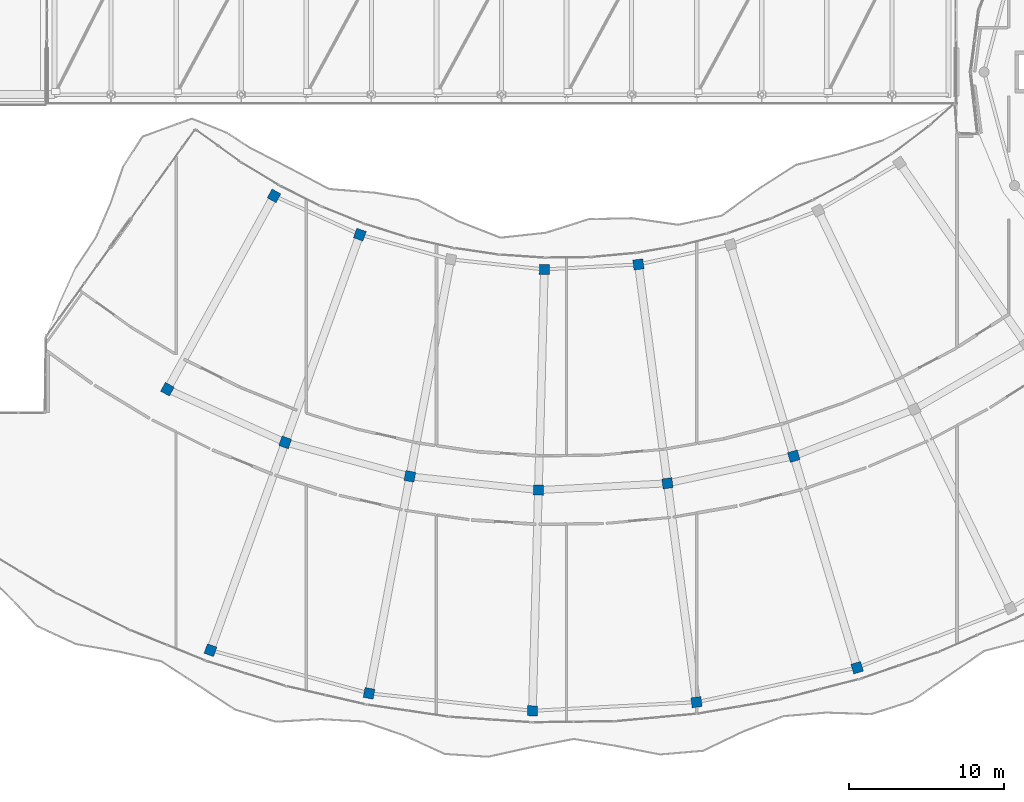
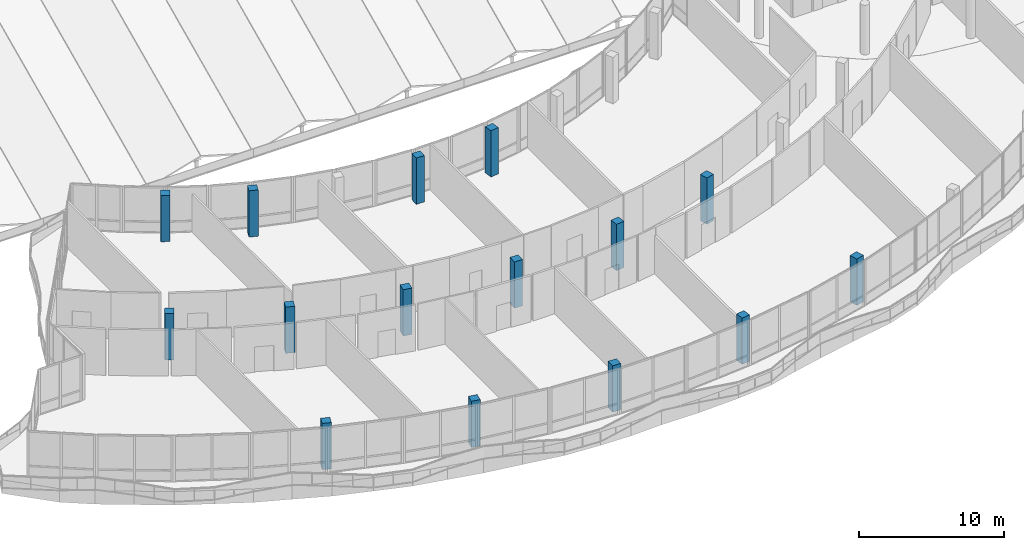
# One storey, part 1 of 184: 15 columns.
"""IFC4 building model written with IfcOpenShell, lengths in metres."""

from ifc_helpers import new_model, si_unit, direction, frame, origin, origin_2d, place, context, subcontext, project, spatial, rectangle, extrude, material, material_profile, profile_set, type_object, element, save


model = new_model("IFC4")

# Units and contexts
model_context = context("Model", 3, precision=1e-05, world=origin(), true_north=direction((0.0, 1.0)))
body_context = subcontext(model_context, "Body", "Model", "MODEL_VIEW")
ifc_project = project(units=[si_unit("LENGTHUNIT", "METRE"), si_unit("AREAUNIT", "SQUARE_METRE"), si_unit("VOLUMEUNIT", "CUBIC_METRE"), si_unit("PLANEANGLEUNIT", "RADIAN"), si_unit("MASSUNIT", "GRAM", prefix="KILO")], contexts=[model_context])

# Site, building, storey
site_placement = place(None, origin())
site = spatial("IfcSite", under=ifc_project, at=site_placement, CompositionType="ELEMENT")
building_placement = place(site_placement, origin())
building = spatial("IfcBuilding", under=site, at=building_placement, Name="Selatvlak General Hospital", CompositionType="ELEMENT")
storey_placement = place(building_placement, frame((0.0, 0.0, 15.0)))
storey = spatial("IfcBuildingStorey", under=building, at=storey_placement, Name="L03", CompositionType="ELEMENT", Elevation=15.0)

# Columns
ifc_material = material(Name="Concrete C40/50", Category="concrete")
ifc_material_profile = material_profile(ifc_material, rectangle(XDim=0.64990234375, YDim=0.64990234375, at=origin_2d()), Name="RC-COL 650x650")
ifc_profile_set = profile_set([ifc_material_profile], Name="Concrete C40/50")
column_type = type_object("IfcColumnType", Name="COL-RC65", PredefinedType="COLUMN", material=ifc_profile_set)
for number, where, z_axis, x_axis, name in (
    (1, (37.52099609375, 46.009033203125, 0.0), (0.0, 0.0, 1.0), (0.483007324118, 0.875616311434, 0.0), "Column 314 on L03"),
    (2, (30.637939453125, 33.531982421875, 0.0), (0.0, 0.0, 1.0), (0.483007324118, 0.875616311434, 0.0), "Column 315 on L03"),
    (3, (43.05908203125, 43.506103515625, 0.0), (0.0, 0.0, 1.0), (0.338261654325, 0.941052099096, 0.0), "Column 316 on L03"),
    (4, (38.239013671875, 30.095947265625, 0.0), (0.0, 0.0, 1.0), (0.338261654325, 0.941052099096, 0.0), "Column 317 on L03"),
    (5, (33.4189453125, 16.68603515625, 0.0), (0.0, 0.0, 1.0), (0.338261654325, 0.941052099096, 0.0), "Column 318 on L03"),
    (6, (46.2880859375, 27.906005859375, 0.0), (0.0, 0.0, 1.0), (0.184997729111, 0.982738948156, 0.0), "Column 320 on L03"),
    (7, (43.652099609375, 13.902099609375, 0.0), (0.0, 0.0, 1.0), (0.184997729111, 0.982738948156, 0.0), "Column 321 on L03"),
    (8, (54.968017578125, 41.262939453125, 0.0), (0.0, 0.0, 1.0), (0.027066750718, 0.999633628389, 0.0), "Column 322 on L03"),
    (9, (54.58203125, 27.01904296875, 0.0), (0.0, 0.0, 1.0), (0.027066750718, 0.999633628389, 0.0), "Column 323 on L03"),
    (10, (54.196044921875, 12.77490234375, 0.0), (0.0, 0.0, 1.0), (0.027066750718, 0.999633628389, 0.0), "Column 324 on L03"),
    (11, (61.034912109375, 41.5830078125, 0.0), (0.0, 0.0, 1.0), (-0.131737372908, 0.991284653659, 0.0), "Column 325 on L03"),
    (12, (62.912109375, 27.45703125, 0.0), (0.0, 0.0, 1.0), (-0.131737372908, 0.991284653659, 0.0), "Column 326 on L03"),
    (13, (64.7890625, 13.3310546875, 0.0), (0.0, 0.0, 1.0), (-0.131737372908, 0.991284653659, 0.0), "Column 327 on L03"),
    (14, (71.06689453125, 29.208984375, 0.0), (0.0, 0.0, 1.0), (-0.286858965796, 0.957972825159, 0.0), "Column 329 on L03"),
    (15, (75.155029296875, 15.556884765625, 0.0), (0.0, 0.0, 1.0), (-0.286858965796, 0.957972825159, 0.0), "Column 330 on L03"),
):
    element("IfcColumn", number, at=place(storey_placement, frame(where, z_axis=z_axis, x_axis=x_axis)), inside=storey, type_object=column_type, Name=name, PredefinedType="COLUMN", context=body_context, shape_type="SweptSolid", body=[
        extrude(rectangle(XDim=0.64990234375, YDim=0.64990234375, at=origin_2d()), origin(), (0.0, 0.0, 1.0), 3.909912109375),
    ])

save(model, "model.ifc")
